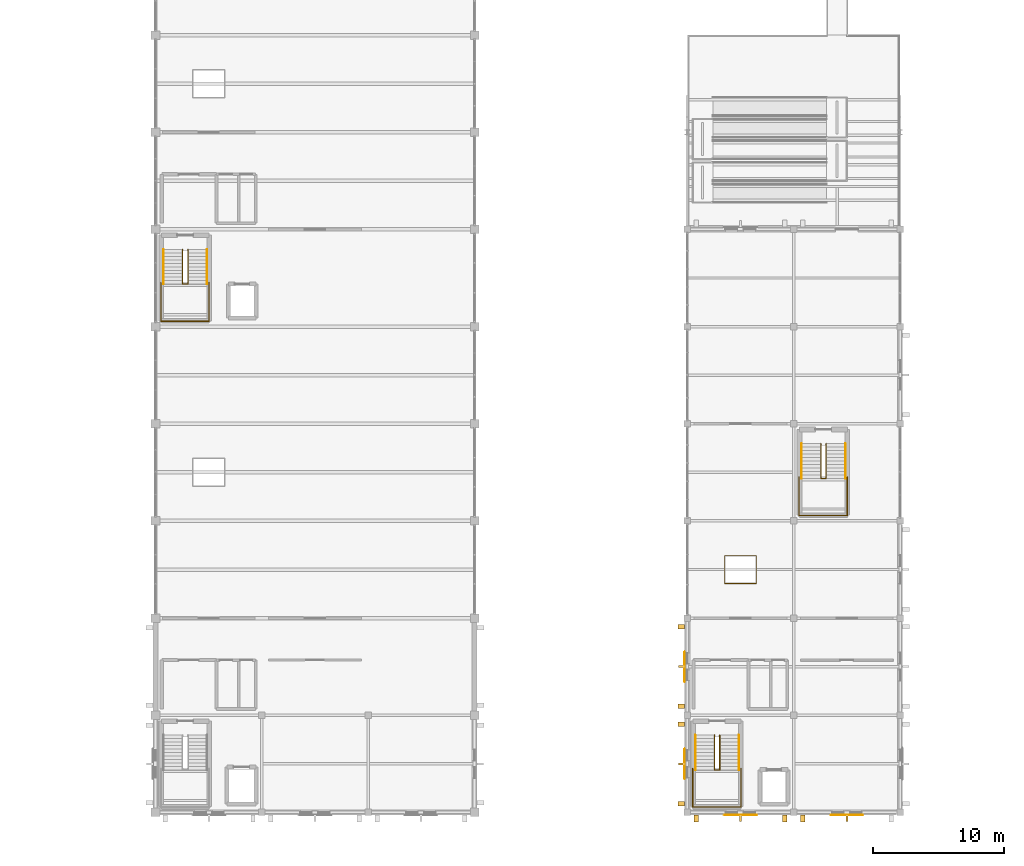
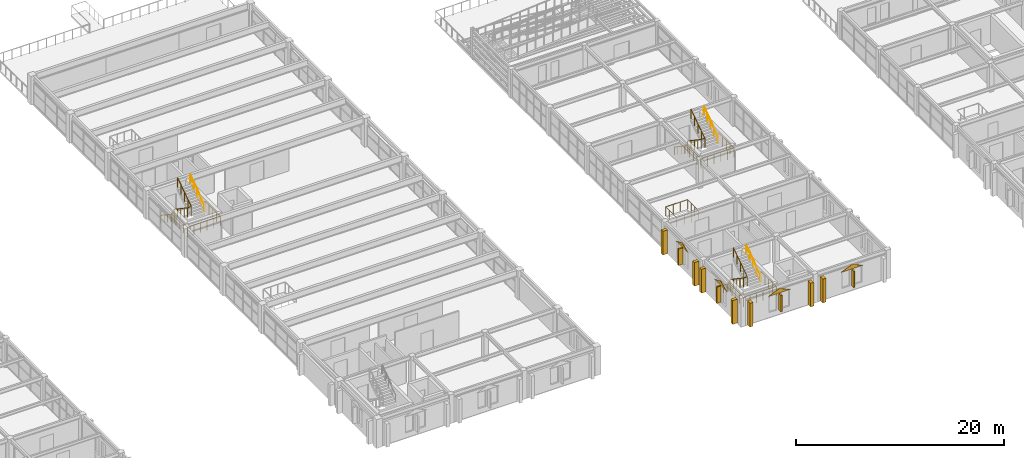
# One storey, part 90 of 93: 13 railings, 11 shading devices, 4 coverings.
"""IFC4 building model written with IfcOpenShell, lengths in metres."""

from ifc_helpers import new_model, si_unit, direction, frame, origin, origin_2d, place, context, subcontext, project, spatial, polyline, rectangle, circle, outline, extrude, material, layer, layer_set, type_object, element, save


model = new_model("IFC4")

# Units and contexts
model_context = context("Model", 3, precision=1e-05, world=origin(), true_north=direction((0.0, 1.0)))
body_context = subcontext(model_context, "Body", "Model", "MODEL_VIEW")
ifc_project = project(units=[si_unit("LENGTHUNIT", "METRE"), si_unit("AREAUNIT", "SQUARE_METRE"), si_unit("VOLUMEUNIT", "CUBIC_METRE"), si_unit("PLANEANGLEUNIT", "RADIAN"), si_unit("MASSUNIT", "GRAM", prefix="KILO")], contexts=[model_context])

# Site, building, storey
site_placement = place(None, origin())
site = spatial("IfcSite", under=ifc_project, at=site_placement, CompositionType="ELEMENT")
building_placement = place(site_placement, origin())
building = spatial("IfcBuilding", under=site, at=building_placement, Name="Cimatlan Art Gallery", CompositionType="ELEMENT")
storey_placement = place(building_placement, frame((0.0, 0.0, 13.800048828125)))
storey = spatial("IfcBuildingStorey", under=building, at=storey_placement, Name="L03", CompositionType="ELEMENT", Elevation=13.800048828125)

# Coverings
ifc_material_1 = material(Name="Queretaro cantera limestone ashlar hood-mould", Category="masonry")
ifc_layer = layer(ifc_material_1, 0.0419921875)
ifc_layer_set = layer_set([ifc_layer], Name="Queretaro cantera limestone ashlar hood-mould")
covering_type = type_object("IfcCoveringType", Name="COV-CLAD-CANTERA-42", PredefinedType="CLADDING", material=ifc_layer_set)
covering_1_placement = place(storey_placement, frame((120.7099609375, 23.721923828125, 2.530029296875), z_axis=(0.0, 1.0, 0.0), x_axis=(-1.0, 0.0, 0.0)))
element("IfcCovering", 1, at=covering_1_placement, inside=storey, type_object=covering_type, Name="CLD-085", PredefinedType="CLADDING", context=body_context, shape_type="SweptSolid", body=[
    extrude(outline(polyline([(0.0, 0.0), (2.52001953125, 0.0), (1.260009765625, 0.52001953125), (0.0, 0.0)])), origin(), (0.0, 0.0, -1.0), 0.0419921875),
])
covering_2_placement = place(storey_placement, frame((115.221923828125, 26.419921875, 2.550048828125), z_axis=(1.0, 0.0, 0.0), x_axis=(0.0, 1.0, 0.0)))
element("IfcCovering", 2, at=covering_2_placement, inside=storey, type_object=covering_type, Name="CLD-086", PredefinedType="CLADDING", context=body_context, shape_type="SweptSolid", body=[
    extrude(outline(polyline([(0.0, 0.0), (2.360107421875, 0.0), (1.18017578125, 0.52001953125), (0.0, 0.0)])), origin(), (0.0, 0.0, -1.0), 0.0419921875),
])
covering_3_placement = place(storey_placement, frame((115.221923828125, 33.820068359375, 2.550048828125), z_axis=(1.0, 0.0, 0.0), x_axis=(0.0, 1.0, 0.0)))
element("IfcCovering", 3, at=covering_3_placement, inside=storey, type_object=covering_type, Name="CLD-087", PredefinedType="CLADDING", context=body_context, shape_type="SweptSolid", body=[
    extrude(outline(polyline([(0.0, 0.0), (2.35986328125, 0.0), (1.179931640625, 0.52001953125), (0.0, 0.0)])), origin(), (0.0, 0.0, -1.0), 0.0419921875),
])
covering_4_placement = place(storey_placement, frame((128.81005859375, 23.721923828125, 2.530029296875), z_axis=(0.0, 1.0, 0.0), x_axis=(-1.0, 0.0, 0.0)))
element("IfcCovering", 4, at=covering_4_placement, inside=storey, type_object=covering_type, Name="CLD-089", PredefinedType="CLADDING", context=body_context, shape_type="SweptSolid", body=[
    extrude(outline(polyline([(0.0, 0.0), (2.52001953125, 0.0), (1.260009765625, 0.52001953125), (0.0, 0.0)])), origin(), (0.0, 0.0, -1.0), 0.0419921875),
])

# Railings
ifc_material_2 = material(Name="Painted steel and bronze interior balustrade", Category="steel")
railing_type_1 = type_object("IfcRailingType", Name="RL-BAL-INT-1120", PredefinedType="BALUSTRADE", material=ifc_material_2)
railing_1_placement = place(storey_placement, frame((115.81005859375, 27.239990234375, 1.800048828125)))
element("IfcRailing", 5, at=railing_1_placement, inside=storey, type_object=railing_type_1, Name="STR-C4-L03-LGRD", PredefinedType="BALUSTRADE", context=body_context, shape_type="SweptSolid", body=[
    extrude(circle(Radius=0.02392578125, at=origin_2d()), frame((0.0, 0.0, 1.09619140625), z_axis=(0.0, -1.0, 0.0), x_axis=(1.0, 0.0, 0.0)), (0.0, 0.0, 1.0), 2.929931640625),
    extrude(circle(Radius=0.02392578125, at=origin_2d()), frame((0.0, -2.929931640625, 1.09619140625), z_axis=(1.0, 0.0, 0.0), x_axis=(0.0, 1.0, 0.0)), (0.0, 0.0, 1.0), 3.669921875),
    extrude(circle(Radius=0.02392578125, at=origin_2d()), frame((3.669921875, -2.929931640625, 1.09619140625), z_axis=(0.0, 1.0, 0.0), x_axis=(-1.0, 0.0, 0.0)), (0.0, 0.0, 1.0), 2.929931640625),
    extrude(circle(Radius=0.02001953125, at=origin_2d()), origin(), (0.0, 0.0, 1.0), 1.072021484375),
    extrude(circle(Radius=0.02001953125, at=origin_2d()), frame((0.0, -0.732421875, 0.0)), (0.0, 0.0, 1.0), 1.072021484375),
    extrude(circle(Radius=0.02001953125, at=origin_2d()), frame((0.0, -1.46484375, 0.0)), (0.0, 0.0, 1.0), 1.072021484375),
    extrude(circle(Radius=0.02001953125, at=origin_2d()), frame((0.0, -2.197509765625, 0.0)), (0.0, 0.0, 1.0), 1.072021484375),
    extrude(circle(Radius=0.02001953125, at=origin_2d()), frame((0.0, -2.929931640625, 0.0)), (0.0, 0.0, 1.0), 1.072021484375),
    extrude(circle(Radius=0.02001953125, at=origin_2d()), frame((0.73388671875, -2.929931640625, 0.0)), (0.0, 0.0, 1.0), 1.072021484375),
    extrude(circle(Radius=0.02001953125, at=origin_2d()), frame((1.468017578125, -2.929931640625, 0.0)), (0.0, 0.0, 1.0), 1.072021484375),
    extrude(circle(Radius=0.02001953125, at=origin_2d()), frame((2.201904296875, -2.929931640625, 0.0)), (0.0, 0.0, 1.0), 1.072021484375),
    extrude(circle(Radius=0.02001953125, at=origin_2d()), frame((2.93603515625, -2.929931640625, 0.0)), (0.0, 0.0, 1.0), 1.072021484375),
    extrude(circle(Radius=0.02001953125, at=origin_2d()), frame((3.669921875, -2.929931640625, 0.0)), (0.0, 0.0, 1.0), 1.072021484375),
    extrude(circle(Radius=0.02001953125, at=origin_2d()), frame((3.669921875, -2.197509765625, 0.0)), (0.0, 0.0, 1.0), 1.072021484375),
    extrude(circle(Radius=0.02001953125, at=origin_2d()), frame((3.669921875, -1.46484375, 0.0)), (0.0, 0.0, 1.0), 1.072021484375),
    extrude(circle(Radius=0.02001953125, at=origin_2d()), frame((3.669921875, -0.732421875, 0.0)), (0.0, 0.0, 1.0), 1.072021484375),
    extrude(circle(Radius=0.02001953125, at=origin_2d()), frame((3.669921875, 0.0, 0.0)), (0.0, 0.0, 1.0), 1.072021484375),
])
railing_2_placement = place(storey_placement, frame((117.469970703125, 29.780029296875, 0.0)))
element("IfcRailing", 6, at=railing_2_placement, inside=storey, type_object=railing_type_1, Name="STR-C4-L03-GRD", PredefinedType="BALUSTRADE", context=body_context, shape_type="SweptSolid", body=[
    extrude(circle(Radius=0.02392578125, at=origin_2d()), frame((0.0, 0.0, 1.09619140625), z_axis=(0.0, -0.827224042694, 0.561872212509), x_axis=(1.0, 0.0, 0.0)), (0.0, 0.0, 1.0), 3.20361328125),
    extrude(circle(Radius=0.02392578125, at=origin_2d()), frame((0.0, -2.650146484375, 2.89599609375), z_axis=(1.0, 0.0, 0.0), x_axis=(0.0, 1.0, 0.0)), (0.0, 0.0, 1.0), 0.400146484375),
    extrude(circle(Radius=0.02392578125, at=origin_2d()), frame((0.400146484375, -2.650146484375, 2.89599609375), z_axis=(0.0, 0.827259463012, 0.561820060924), x_axis=(-1.0, 0.0, 0.0)), (0.0, 0.0, 1.0), 3.20361328125),
    extrude(circle(Radius=0.02001953125, at=origin_2d()), origin(), (0.0, 0.0, 1.0), 1.072021484375),
    extrude(circle(Radius=0.02001953125, at=origin_2d()), frame((0.0, -0.66259765625, 0.449951171875)), (0.0, 0.0, 1.0), 1.072021484375),
    extrude(circle(Radius=0.02001953125, at=origin_2d()), frame((0.0, -1.3251953125, 0.89990234375)), (0.0, 0.0, 1.0), 1.072021484375),
    extrude(circle(Radius=0.02001953125, at=origin_2d()), frame((0.0, -1.987548828125, 1.35009765625)), (0.0, 0.0, 1.0), 1.072021484375),
    extrude(circle(Radius=0.02001953125, at=origin_2d()), frame((0.0, -2.650146484375, 1.800048828125)), (0.0, 0.0, 1.0), 1.072021484375),
    extrude(circle(Radius=0.02001953125, at=origin_2d()), frame((0.400146484375, -2.650146484375, 1.800048828125)), (0.0, 0.0, 1.0), 1.072021484375),
    extrude(circle(Radius=0.02001953125, at=origin_2d()), frame((0.400146484375, -1.987548828125, 2.25)), (0.0, 0.0, 1.0), 1.072021484375),
    extrude(circle(Radius=0.02001953125, at=origin_2d()), frame((0.400146484375, -1.3251953125, 2.699951171875)), (0.0, 0.0, 1.0), 1.072021484375),
    extrude(circle(Radius=0.02001953125, at=origin_2d()), frame((0.400146484375, -0.66259765625, 3.14990234375)), (0.0, 0.0, 1.0), 1.072021484375),
    extrude(circle(Radius=0.02001953125, at=origin_2d()), frame((0.400146484375, 0.0, 3.599853515625)), (0.0, 0.0, 1.0), 1.072021484375),
])
railing_3_placement = place(storey_placement, frame((75.31005859375, 64.239990234375, 1.800048828125)))
element("IfcRailing", 7, at=railing_3_placement, inside=storey, type_object=railing_type_1, Name="STR-C6-L03-LGRD", PredefinedType="BALUSTRADE", context=body_context, shape_type="SweptSolid", body=[
    extrude(circle(Radius=0.02392578125, at=origin_2d()), frame((0.0, 0.0, 1.09619140625), z_axis=(0.0, -1.0, 0.0), x_axis=(1.0, 0.0, 0.0)), (0.0, 0.0, 1.0), 2.929931640625),
    extrude(circle(Radius=0.02392578125, at=origin_2d()), frame((0.0, -2.929931640625, 1.09619140625), z_axis=(1.0, 0.0, 0.0), x_axis=(0.0, 1.0, 0.0)), (0.0, 0.0, 1.0), 3.669921875),
    extrude(circle(Radius=0.02392578125, at=origin_2d()), frame((3.669921875, -2.929931640625, 1.09619140625), z_axis=(0.0, 1.0, 0.0), x_axis=(-1.0, 0.0, 0.0)), (0.0, 0.0, 1.0), 2.929931640625),
    extrude(circle(Radius=0.02001953125, at=origin_2d()), origin(), (0.0, 0.0, 1.0), 1.072021484375),
    extrude(circle(Radius=0.02001953125, at=origin_2d()), frame((0.0, -0.732421875, 0.0)), (0.0, 0.0, 1.0), 1.072021484375),
    extrude(circle(Radius=0.02001953125, at=origin_2d()), frame((0.0, -1.46484375, 0.0)), (0.0, 0.0, 1.0), 1.072021484375),
    extrude(circle(Radius=0.02001953125, at=origin_2d()), frame((0.0, -2.197509765625, 0.0)), (0.0, 0.0, 1.0), 1.072021484375),
    extrude(circle(Radius=0.02001953125, at=origin_2d()), frame((0.0, -2.929931640625, 0.0)), (0.0, 0.0, 1.0), 1.072021484375),
    extrude(circle(Radius=0.02001953125, at=origin_2d()), frame((0.73388671875, -2.929931640625, 0.0)), (0.0, 0.0, 1.0), 1.072021484375),
    extrude(circle(Radius=0.02001953125, at=origin_2d()), frame((1.468017578125, -2.929931640625, 0.0)), (0.0, 0.0, 1.0), 1.072021484375),
    extrude(circle(Radius=0.02001953125, at=origin_2d()), frame((2.201904296875, -2.929931640625, 0.0)), (0.0, 0.0, 1.0), 1.072021484375),
    extrude(circle(Radius=0.02001953125, at=origin_2d()), frame((2.93603515625, -2.929931640625, 0.0)), (0.0, 0.0, 1.0), 1.072021484375),
    extrude(circle(Radius=0.02001953125, at=origin_2d()), frame((3.669921875, -2.929931640625, 0.0)), (0.0, 0.0, 1.0), 1.072021484375),
    extrude(circle(Radius=0.02001953125, at=origin_2d()), frame((3.669921875, -2.197509765625, 0.0)), (0.0, 0.0, 1.0), 1.072021484375),
    extrude(circle(Radius=0.02001953125, at=origin_2d()), frame((3.669921875, -1.46484375, 0.0)), (0.0, 0.0, 1.0), 1.072021484375),
    extrude(circle(Radius=0.02001953125, at=origin_2d()), frame((3.669921875, -0.732421875, 0.0)), (0.0, 0.0, 1.0), 1.072021484375),
    extrude(circle(Radius=0.02001953125, at=origin_2d()), frame((3.669921875, 0.0, 0.0)), (0.0, 0.0, 1.0), 1.072021484375),
])
railing_4_placement = place(storey_placement, frame((76.969970703125, 66.780029296875, 0.0)))
element("IfcRailing", 8, at=railing_4_placement, inside=storey, type_object=railing_type_1, Name="STR-C6-L03-GRD", PredefinedType="BALUSTRADE", context=body_context, shape_type="SweptSolid", body=[
    extrude(circle(Radius=0.02392578125, at=origin_2d()), frame((0.0, 0.0, 1.09619140625), z_axis=(0.0, -0.827224042694, 0.561872212509), x_axis=(1.0, 0.0, 0.0)), (0.0, 0.0, 1.0), 3.20361328125),
    extrude(circle(Radius=0.02392578125, at=origin_2d()), frame((0.0, -2.650146484375, 2.89599609375), z_axis=(1.0, 0.0, 0.0), x_axis=(0.0, 1.0, 0.0)), (0.0, 0.0, 1.0), 0.400146484375),
    extrude(circle(Radius=0.02392578125, at=origin_2d()), frame((0.400146484375, -2.650146484375, 2.89599609375), z_axis=(0.0, 0.827259463012, 0.561820060924), x_axis=(-1.0, 0.0, 0.0)), (0.0, 0.0, 1.0), 3.20361328125),
    extrude(circle(Radius=0.02001953125, at=origin_2d()), origin(), (0.0, 0.0, 1.0), 1.072021484375),
    extrude(circle(Radius=0.02001953125, at=origin_2d()), frame((0.0, -0.66259765625, 0.449951171875)), (0.0, 0.0, 1.0), 1.072021484375),
    extrude(circle(Radius=0.02001953125, at=origin_2d()), frame((0.0, -1.3251953125, 0.89990234375)), (0.0, 0.0, 1.0), 1.072021484375),
    extrude(circle(Radius=0.02001953125, at=origin_2d()), frame((0.0, -1.987548828125, 1.35009765625)), (0.0, 0.0, 1.0), 1.072021484375),
    extrude(circle(Radius=0.02001953125, at=origin_2d()), frame((0.0, -2.650146484375, 1.800048828125)), (0.0, 0.0, 1.0), 1.072021484375),
    extrude(circle(Radius=0.02001953125, at=origin_2d()), frame((0.400146484375, -2.650146484375, 1.800048828125)), (0.0, 0.0, 1.0), 1.072021484375),
    extrude(circle(Radius=0.02001953125, at=origin_2d()), frame((0.400146484375, -1.987548828125, 2.25)), (0.0, 0.0, 1.0), 1.072021484375),
    extrude(circle(Radius=0.02001953125, at=origin_2d()), frame((0.400146484375, -1.3251953125, 2.699951171875)), (0.0, 0.0, 1.0), 1.072021484375),
    extrude(circle(Radius=0.02001953125, at=origin_2d()), frame((0.400146484375, -0.66259765625, 3.14990234375)), (0.0, 0.0, 1.0), 1.072021484375),
    extrude(circle(Radius=0.02001953125, at=origin_2d()), frame((0.400146484375, 0.0, 3.599853515625)), (0.0, 0.0, 1.0), 1.072021484375),
])
railing_5_placement = place(storey_placement, frame((123.909912109375, 49.43994140625, 1.800048828125)))
element("IfcRailing", 9, at=railing_5_placement, inside=storey, type_object=railing_type_1, Name="STR-C9-L03-LGRD", PredefinedType="BALUSTRADE", context=body_context, shape_type="SweptSolid", body=[
    extrude(circle(Radius=0.02392578125, at=origin_2d()), frame((0.0, 0.0, 1.09619140625), z_axis=(0.0, -1.0, 0.0), x_axis=(1.0, 0.0, 0.0)), (0.0, 0.0, 1.0), 2.929931640625),
    extrude(circle(Radius=0.02392578125, at=origin_2d()), frame((0.0, -2.929931640625, 1.09619140625), z_axis=(1.0, 0.0, 0.0), x_axis=(0.0, 1.0, 0.0)), (0.0, 0.0, 1.0), 3.670166015625),
    extrude(circle(Radius=0.02392578125, at=origin_2d()), frame((3.670166015625, -2.929931640625, 1.09619140625), z_axis=(0.0, 1.0, 0.0), x_axis=(-1.0, 0.0, 0.0)), (0.0, 0.0, 1.0), 2.929931640625),
    extrude(circle(Radius=0.02001953125, at=origin_2d()), origin(), (0.0, 0.0, 1.0), 1.072021484375),
    extrude(circle(Radius=0.02001953125, at=origin_2d()), frame((0.0, -0.732421875, 0.0)), (0.0, 0.0, 1.0), 1.072021484375),
    extrude(circle(Radius=0.02001953125, at=origin_2d()), frame((0.0, -1.46484375, 0.0)), (0.0, 0.0, 1.0), 1.072021484375),
    extrude(circle(Radius=0.02001953125, at=origin_2d()), frame((0.0, -2.197509765625, 0.0)), (0.0, 0.0, 1.0), 1.072021484375),
    extrude(circle(Radius=0.02001953125, at=origin_2d()), frame((0.0, -2.929931640625, 0.0)), (0.0, 0.0, 1.0), 1.072021484375),
    extrude(circle(Radius=0.02001953125, at=origin_2d()), frame((0.734130859375, -2.929931640625, 0.0)), (0.0, 0.0, 1.0), 1.072021484375),
    extrude(circle(Radius=0.02001953125, at=origin_2d()), frame((1.468017578125, -2.929931640625, 0.0)), (0.0, 0.0, 1.0), 1.072021484375),
    extrude(circle(Radius=0.02001953125, at=origin_2d()), frame((2.2021484375, -2.929931640625, 0.0)), (0.0, 0.0, 1.0), 1.072021484375),
    extrude(circle(Radius=0.02001953125, at=origin_2d()), frame((2.93603515625, -2.929931640625, 0.0)), (0.0, 0.0, 1.0), 1.072021484375),
    extrude(circle(Radius=0.02001953125, at=origin_2d()), frame((3.670166015625, -2.929931640625, 0.0)), (0.0, 0.0, 1.0), 1.072021484375),
    extrude(circle(Radius=0.02001953125, at=origin_2d()), frame((3.670166015625, -2.197509765625, 0.0)), (0.0, 0.0, 1.0), 1.072021484375),
    extrude(circle(Radius=0.02001953125, at=origin_2d()), frame((3.670166015625, -1.46484375, 0.0)), (0.0, 0.0, 1.0), 1.072021484375),
    extrude(circle(Radius=0.02001953125, at=origin_2d()), frame((3.670166015625, -0.732421875, 0.0)), (0.0, 0.0, 1.0), 1.072021484375),
    extrude(circle(Radius=0.02001953125, at=origin_2d()), frame((3.670166015625, 0.0, 0.0)), (0.0, 0.0, 1.0), 1.072021484375),
])
railing_6_placement = place(storey_placement, frame((125.570068359375, 51.97998046875, 0.0)))
element("IfcRailing", 10, at=railing_6_placement, inside=storey, type_object=railing_type_1, Name="STR-C9-L03-GRD", PredefinedType="BALUSTRADE", context=body_context, shape_type="SweptSolid", body=[
    extrude(circle(Radius=0.02392578125, at=origin_2d()), frame((0.0, 0.0, 1.09619140625), z_axis=(0.0, -0.827199981925, 0.561907634672), x_axis=(1.0, 0.0, 0.0)), (0.0, 0.0, 1.0), 3.203369140625),
    extrude(circle(Radius=0.02392578125, at=origin_2d()), frame((0.0, -2.64990234375, 2.89599609375), z_axis=(1.0, 0.0, 0.0), x_axis=(0.0, 1.0, 0.0)), (0.0, 0.0, 1.0), 0.39990234375),
    extrude(circle(Radius=0.02392578125, at=origin_2d()), frame((0.39990234375, -2.64990234375, 2.89599609375), z_axis=(0.0, 0.82723540568, 0.561855482833), x_axis=(-1.0, 0.0, 0.0)), (0.0, 0.0, 1.0), 3.203369140625),
    extrude(circle(Radius=0.02001953125, at=origin_2d()), origin(), (0.0, 0.0, 1.0), 1.072021484375),
    extrude(circle(Radius=0.02001953125, at=origin_2d()), frame((0.0, -0.66259765625, 0.449951171875)), (0.0, 0.0, 1.0), 1.072021484375),
    extrude(circle(Radius=0.02001953125, at=origin_2d()), frame((0.0, -1.324951171875, 0.89990234375)), (0.0, 0.0, 1.0), 1.072021484375),
    extrude(circle(Radius=0.02001953125, at=origin_2d()), frame((0.0, -1.9873046875, 1.35009765625)), (0.0, 0.0, 1.0), 1.072021484375),
    extrude(circle(Radius=0.02001953125, at=origin_2d()), frame((0.0, -2.64990234375, 1.800048828125)), (0.0, 0.0, 1.0), 1.072021484375),
    extrude(circle(Radius=0.02001953125, at=origin_2d()), frame((0.39990234375, -2.64990234375, 1.800048828125)), (0.0, 0.0, 1.0), 1.072021484375),
    extrude(circle(Radius=0.02001953125, at=origin_2d()), frame((0.39990234375, -1.9873046875, 2.25)), (0.0, 0.0, 1.0), 1.072021484375),
    extrude(circle(Radius=0.02001953125, at=origin_2d()), frame((0.39990234375, -1.324951171875, 2.699951171875)), (0.0, 0.0, 1.0), 1.072021484375),
    extrude(circle(Radius=0.02001953125, at=origin_2d()), frame((0.39990234375, -0.66259765625, 3.14990234375)), (0.0, 0.0, 1.0), 1.072021484375),
    extrude(circle(Radius=0.02001953125, at=origin_2d()), frame((0.39990234375, 0.0, 3.599853515625)), (0.0, 0.0, 1.0), 1.072021484375),
])
railing_7_placement = place(storey_placement, frame((118.239990234375, 41.340087890625, 0.0)))
element("IfcRailing", 11, at=railing_7_placement, inside=storey, type_object=railing_type_1, Name="GR-OCU-L03-B4S", PredefinedType="BALUSTRADE", context=body_context, shape_type="SweptSolid", body=[
    extrude(circle(Radius=0.02392578125, at=origin_2d()), frame((0.0, 0.0, 1.09619140625), z_axis=(1.0, 0.0, 0.0), x_axis=(0.0, 1.0, 0.0)), (0.0, 0.0, 1.0), 2.419921875),
    extrude(circle(Radius=0.02392578125, at=origin_2d()), frame((2.419921875, 0.0, 1.09619140625), z_axis=(0.0, 1.0, 0.0), x_axis=(-1.0, 0.0, 0.0)), (0.0, 0.0, 1.0), 2.119873046875),
    extrude(circle(Radius=0.02392578125, at=origin_2d()), frame((2.419921875, 2.119873046875, 1.09619140625), z_axis=(-1.0, 0.0, 0.0), x_axis=(0.0, -1.0, 0.0)), (0.0, 0.0, 1.0), 2.419921875),
    extrude(circle(Radius=0.02392578125, at=origin_2d()), frame((0.0, 2.119873046875, 1.09619140625), z_axis=(0.0, -1.0, 0.0), x_axis=(1.0, 0.0, 0.0)), (0.0, 0.0, 1.0), 2.080078125),
    extrude(circle(Radius=0.02001953125, at=origin_2d()), origin(), (0.0, 0.0, 1.0), 1.072021484375),
    extrude(circle(Radius=0.02001953125, at=origin_2d()), frame((0.806640625, 0.0, 0.0)), (0.0, 0.0, 1.0), 1.072021484375),
    extrude(circle(Radius=0.02001953125, at=origin_2d()), frame((1.61328125, 0.0, 0.0)), (0.0, 0.0, 1.0), 1.072021484375),
    extrude(circle(Radius=0.02001953125, at=origin_2d()), frame((2.419921875, 0.0, 0.0)), (0.0, 0.0, 1.0), 1.072021484375),
    extrude(circle(Radius=0.02001953125, at=origin_2d()), frame((2.419921875, 0.70654296875, 0.0)), (0.0, 0.0, 1.0), 1.072021484375),
    extrude(circle(Radius=0.02001953125, at=origin_2d()), frame((2.419921875, 1.413330078125, 0.0)), (0.0, 0.0, 1.0), 1.072021484375),
    extrude(circle(Radius=0.02001953125, at=origin_2d()), frame((2.419921875, 2.119873046875, 0.0)), (0.0, 0.0, 1.0), 1.072021484375),
    extrude(circle(Radius=0.02001953125, at=origin_2d()), frame((1.61328125, 2.119873046875, 0.0)), (0.0, 0.0, 1.0), 1.072021484375),
    extrude(circle(Radius=0.02001953125, at=origin_2d()), frame((0.806640625, 2.119873046875, 0.0)), (0.0, 0.0, 1.0), 1.072021484375),
    extrude(circle(Radius=0.02001953125, at=origin_2d()), frame((0.0, 2.119873046875, 0.0)), (0.0, 0.0, 1.0), 1.072021484375),
    extrude(circle(Radius=0.02001953125, at=origin_2d()), frame((0.0, 1.426513671875, 0.0)), (0.0, 0.0, 1.0), 1.072021484375),
    extrude(circle(Radius=0.02001953125, at=origin_2d()), frame((0.0, 0.733154296875, 0.0)), (0.0, 0.0, 1.0), 1.072021484375),
    extrude(circle(Radius=0.02001953125, at=origin_2d()), frame((0.0, 0.039794921875, 0.0)), (0.0, 0.0, 1.0), 1.072021484375),
])
ifc_material_3 = material(Name="Brushed bronze stair handrail")
railing_type_2 = type_object("IfcRailingType", Name="RL-HND-INT-920", PredefinedType="HANDRAIL", material=ifc_material_3)
railing_8_placement = place(storey_placement, frame((116.010009765625, 29.780029296875, 0.0)))
element("IfcRailing", 12, at=railing_8_placement, inside=storey, type_object=railing_type_2, Name="STR-C4-L03-HR1", PredefinedType="HANDRAIL", context=body_context, shape_type="SweptSolid", body=[
    extrude(circle(Radius=0.02197265625, at=origin_2d()), frame((0.0, 0.0, 0.89794921875), z_axis=(0.0, -0.827224042694, 0.561872212509), x_axis=(1.0, 0.0, 0.0)), (0.0, 0.0, 1.0), 3.20361328125),
    extrude(circle(Radius=0.01904296875, at=origin_2d()), origin(), (0.0, 0.0, 1.0), 0.8759765625),
    extrude(circle(Radius=0.01904296875, at=origin_2d()), frame((0.0, -0.66259765625, 0.449951171875)), (0.0, 0.0, 1.0), 0.8759765625),
    extrude(circle(Radius=0.01904296875, at=origin_2d()), frame((0.0, -1.3251953125, 0.89990234375)), (0.0, 0.0, 1.0), 0.8759765625),
    extrude(circle(Radius=0.01904296875, at=origin_2d()), frame((0.0, -1.987548828125, 1.35009765625)), (0.0, 0.0, 1.0), 0.8759765625),
    extrude(circle(Radius=0.01904296875, at=origin_2d()), frame((0.0, -2.650146484375, 1.800048828125)), (0.0, 0.0, 1.0), 0.8759765625),
])
railing_9_placement = place(storey_placement, frame((119.330078125, 27.1298828125, 1.800048828125)))
element("IfcRailing", 13, at=railing_9_placement, inside=storey, type_object=railing_type_2, Name="STR-C4-L03-HR2", PredefinedType="HANDRAIL", context=body_context, shape_type="SweptSolid", body=[
    extrude(circle(Radius=0.02197265625, at=origin_2d()), frame((0.0, 0.0, 0.89794921875), z_axis=(0.0, 0.827259463012, 0.561820060924), x_axis=(-1.0, 0.0, 0.0)), (0.0, 0.0, 1.0), 3.20361328125),
    extrude(circle(Radius=0.01904296875, at=origin_2d()), origin(), (0.0, 0.0, 1.0), 0.8759765625),
    extrude(circle(Radius=0.01904296875, at=origin_2d()), frame((0.0, 0.66259765625, 0.449951171875)), (0.0, 0.0, 1.0), 0.8759765625),
    extrude(circle(Radius=0.01904296875, at=origin_2d()), frame((0.0, 1.3251953125, 0.89990234375)), (0.0, 0.0, 1.0), 0.8759765625),
    extrude(circle(Radius=0.01904296875, at=origin_2d()), frame((0.0, 1.987548828125, 1.349853515625)), (0.0, 0.0, 1.0), 0.8759765625),
    extrude(circle(Radius=0.01904296875, at=origin_2d()), frame((0.0, 2.650146484375, 1.7998046875)), (0.0, 0.0, 1.0), 0.8759765625),
])
railing_10_placement = place(storey_placement, frame((75.510009765625, 66.780029296875, 0.0)))
element("IfcRailing", 14, at=railing_10_placement, inside=storey, type_object=railing_type_2, Name="STR-C6-L03-HR1", PredefinedType="HANDRAIL", context=body_context, shape_type="SweptSolid", body=[
    extrude(circle(Radius=0.02197265625, at=origin_2d()), frame((0.0, 0.0, 0.89794921875), z_axis=(0.0, -0.827224042694, 0.561872212509), x_axis=(1.0, 0.0, 0.0)), (0.0, 0.0, 1.0), 3.20361328125),
    extrude(circle(Radius=0.01904296875, at=origin_2d()), origin(), (0.0, 0.0, 1.0), 0.8759765625),
    extrude(circle(Radius=0.01904296875, at=origin_2d()), frame((0.0, -0.66259765625, 0.449951171875)), (0.0, 0.0, 1.0), 0.8759765625),
    extrude(circle(Radius=0.01904296875, at=origin_2d()), frame((0.0, -1.3251953125, 0.89990234375)), (0.0, 0.0, 1.0), 0.8759765625),
    extrude(circle(Radius=0.01904296875, at=origin_2d()), frame((0.0, -1.987548828125, 1.35009765625)), (0.0, 0.0, 1.0), 0.8759765625),
    extrude(circle(Radius=0.01904296875, at=origin_2d()), frame((0.0, -2.650146484375, 1.800048828125)), (0.0, 0.0, 1.0), 0.8759765625),
])
railing_11_placement = place(storey_placement, frame((78.830078125, 64.1298828125, 1.800048828125)))
element("IfcRailing", 15, at=railing_11_placement, inside=storey, type_object=railing_type_2, Name="STR-C6-L03-HR2", PredefinedType="HANDRAIL", context=body_context, shape_type="SweptSolid", body=[
    extrude(circle(Radius=0.02197265625, at=origin_2d()), frame((0.0, 0.0, 0.89794921875), z_axis=(0.0, 0.827259463012, 0.561820060924), x_axis=(-1.0, 0.0, 0.0)), (0.0, 0.0, 1.0), 3.20361328125),
    extrude(circle(Radius=0.01904296875, at=origin_2d()), origin(), (0.0, 0.0, 1.0), 0.8759765625),
    extrude(circle(Radius=0.01904296875, at=origin_2d()), frame((0.0, 0.66259765625, 0.449951171875)), (0.0, 0.0, 1.0), 0.8759765625),
    extrude(circle(Radius=0.01904296875, at=origin_2d()), frame((0.0, 1.3251953125, 0.89990234375)), (0.0, 0.0, 1.0), 0.8759765625),
    extrude(circle(Radius=0.01904296875, at=origin_2d()), frame((0.0, 1.987548828125, 1.349853515625)), (0.0, 0.0, 1.0), 0.8759765625),
    extrude(circle(Radius=0.01904296875, at=origin_2d()), frame((0.0, 2.650146484375, 1.7998046875)), (0.0, 0.0, 1.0), 0.8759765625),
])
railing_12_placement = place(storey_placement, frame((124.110107421875, 51.97998046875, 0.0)))
element("IfcRailing", 16, at=railing_12_placement, inside=storey, type_object=railing_type_2, Name="STR-C9-L03-HR1", PredefinedType="HANDRAIL", context=body_context, shape_type="SweptSolid", body=[
    extrude(circle(Radius=0.02197265625, at=origin_2d()), frame((0.0, 0.0, 0.89794921875), z_axis=(0.0, -0.827199981925, 0.561907634672), x_axis=(1.0, 0.0, 0.0)), (0.0, 0.0, 1.0), 3.203369140625),
    extrude(circle(Radius=0.01904296875, at=origin_2d()), origin(), (0.0, 0.0, 1.0), 0.8759765625),
    extrude(circle(Radius=0.01904296875, at=origin_2d()), frame((0.0, -0.66259765625, 0.449951171875)), (0.0, 0.0, 1.0), 0.8759765625),
    extrude(circle(Radius=0.01904296875, at=origin_2d()), frame((0.0, -1.324951171875, 0.89990234375)), (0.0, 0.0, 1.0), 0.8759765625),
    extrude(circle(Radius=0.01904296875, at=origin_2d()), frame((0.0, -1.9873046875, 1.35009765625)), (0.0, 0.0, 1.0), 0.8759765625),
    extrude(circle(Radius=0.01904296875, at=origin_2d()), frame((0.0, -2.64990234375, 1.800048828125)), (0.0, 0.0, 1.0), 0.8759765625),
])
railing_13_placement = place(storey_placement, frame((127.429931640625, 49.330078125, 1.800048828125)))
element("IfcRailing", 17, at=railing_13_placement, inside=storey, type_object=railing_type_2, Name="STR-C9-L03-HR2", PredefinedType="HANDRAIL", context=body_context, shape_type="SweptSolid", body=[
    extrude(circle(Radius=0.02197265625, at=origin_2d()), frame((0.0, 0.0, 0.89794921875), z_axis=(0.0, 0.82723540568, 0.561855482833), x_axis=(-1.0, 0.0, 0.0)), (0.0, 0.0, 1.0), 3.203369140625),
    extrude(circle(Radius=0.01904296875, at=origin_2d()), origin(), (0.0, 0.0, 1.0), 0.8759765625),
    extrude(circle(Radius=0.01904296875, at=origin_2d()), frame((0.0, 0.66259765625, 0.449951171875)), (0.0, 0.0, 1.0), 0.8759765625),
    extrude(circle(Radius=0.01904296875, at=origin_2d()), frame((0.0, 1.324951171875, 0.89990234375)), (0.0, 0.0, 1.0), 0.8759765625),
    extrude(circle(Radius=0.01904296875, at=origin_2d()), frame((0.0, 1.9873046875, 1.349853515625)), (0.0, 0.0, 1.0), 0.8759765625),
    extrude(circle(Radius=0.01904296875, at=origin_2d()), frame((0.0, 2.64990234375, 1.7998046875)), (0.0, 0.0, 1.0), 0.8759765625),
])

# Shading devices
ifc_material_4 = material(Name="Queretaro cantera limestone buttress pilaster", Category="masonry")
shading_device_type_1 = type_object("IfcShadingDeviceType", Name="SHD-BUT-520", PredefinedType="USERDEFINED", material=ifc_material_4)
for number, where, z_axis, x_axis, name in (
    (18, (122.825927734375, 23.44189453125, 0.059814453125), (0.0, 0.0, 1.0), (-1.0, 0.0, 0.0), "BUT-0407"),
    (19, (116.073974609375, 23.44189453125, 0.059814453125), (0.0, 0.0, 1.0), (-1.0, 0.0, 0.0), "BUT-0408"),
    (20, (114.94189453125, 24.573974609375, 0.059814453125), (0.0, 0.0, 1.0), (0.0, 1.0, 0.0), "BUT-0409"),
    (21, (114.94189453125, 30.6259765625, 0.059814453125), (0.0, 0.0, 1.0), (0.0, 1.0, 0.0), "BUT-0410"),
    (22, (114.94189453125, 31.97412109375, 0.059814453125), (0.0, 0.0, 1.0), (0.0, 1.0, 0.0), "BUT-0411"),
    (23, (114.94189453125, 38.02587890625, 0.059814453125), (0.0, 0.0, 1.0), (0.0, 1.0, 0.0), "BUT-0412"),
    (24, (124.174072265625, 23.44189453125, 0.059814453125), (0.0, 0.0, 1.0), (-1.0, 0.0, 0.0), "BUT-0416"),
):
    element("IfcShadingDevice", number, at=place(storey_placement, frame(where, z_axis=z_axis, x_axis=x_axis)), inside=storey, type_object=shading_device_type_1, Name=name, ObjectType="FIN", PredefinedType="USERDEFINED", context=body_context, shape_type="SweptSolid", body=[
        extrude(rectangle(XDim=0.340087890625, YDim=0.52001953125, at=origin_2d()), origin(), (0.0, 0.0, 1.0), 2.7880859375),
    ])
ifc_material_5 = material(Name="Queretaro cantera limestone lancet mullion fin", Category="masonry")
shading_device_type_2 = type_object("IfcShadingDeviceType", Name="SHD-FIN-480", PredefinedType="USERDEFINED", material=ifc_material_5)
shading_device_1_placement = place(storey_placement, frame((119.449951171875, 23.4619140625, 0.60009765625), z_axis=(0.0, 0.0, 1.0), x_axis=(-1.0, 0.0, 0.0)))
element("IfcShadingDevice", 25, at=shading_device_1_placement, inside=storey, type_object=shading_device_type_2, Name="FIN-129", ObjectType="FIN", PredefinedType="USERDEFINED", context=body_context, shape_type="SweptSolid", body=[
    extrude(rectangle(XDim=0.159912109375, YDim=0.47998046875, at=origin_2d()), origin(), (0.0, 0.0, 1.0), 1.89990234375),
])
for number, where, z_axis, x_axis, name in (
    (26, (114.9619140625, 27.60009765625, 0.60009765625), (0.0, 0.0, 1.0), (0.0, 1.0, 0.0), "FIN-130"),
    (27, (114.9619140625, 35.0, 0.60009765625), (0.0, 0.0, 1.0), (0.0, 1.0, 0.0), "FIN-131"),
):
    element("IfcShadingDevice", number, at=place(storey_placement, frame(where, z_axis=z_axis, x_axis=x_axis)), inside=storey, type_object=shading_device_type_2, Name=name, ObjectType="FIN", PredefinedType="USERDEFINED", context=body_context, shape_type="SweptSolid", body=[
        extrude(rectangle(XDim=0.159912109375, YDim=0.47998046875, at=origin_2d()), origin(), (0.0, 0.0, 1.0), 1.919921875),
    ])
shading_device_2_placement = place(storey_placement, frame((127.550048828125, 23.4619140625, 0.60009765625), z_axis=(0.0, 0.0, 1.0), x_axis=(-1.0, 0.0, 0.0)))
element("IfcShadingDevice", 28, at=shading_device_2_placement, inside=storey, type_object=shading_device_type_2, Name="FIN-133", ObjectType="FIN", PredefinedType="USERDEFINED", context=body_context, shape_type="SweptSolid", body=[
    extrude(rectangle(XDim=0.159912109375, YDim=0.47998046875, at=origin_2d()), origin(), (0.0, 0.0, 1.0), 1.89990234375),
])

save(model, "model.ifc")
